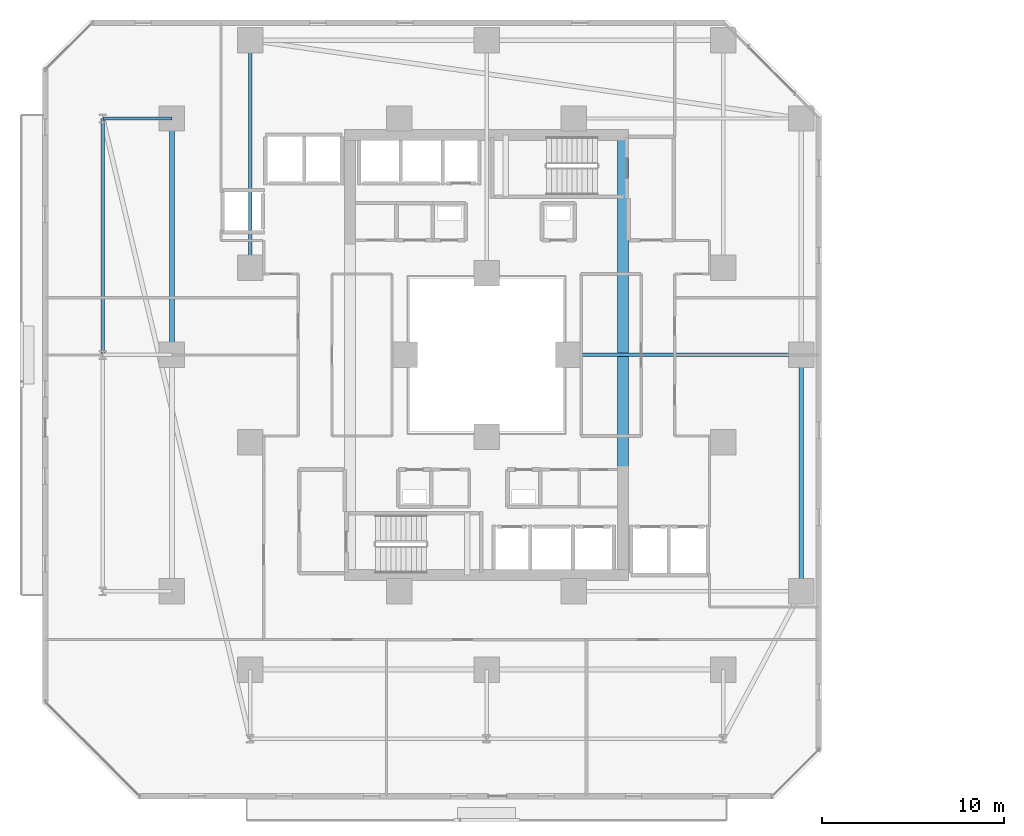
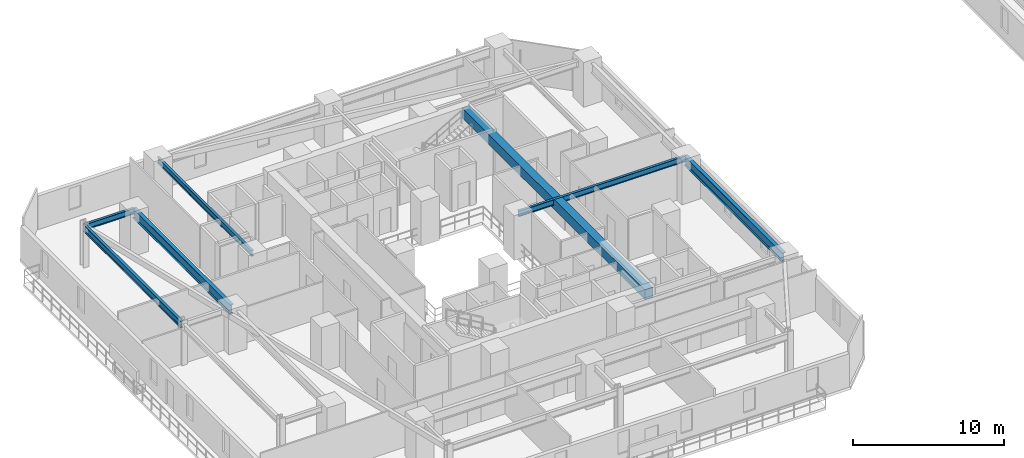
# One storey, part 6 of 33: 7 beams.
"""IFC4 building model written with IfcOpenShell, lengths in metres."""

from ifc_helpers import new_model, si_unit, direction, frame, origin, origin_2d, place, context, subcontext, project, spatial, rectangle, i_section, extrude, material, material_profile, profile_set, type_object, element, save


model = new_model("IFC4")

# Units and contexts
model_context = context("Model", 3, precision=1e-05, world=origin(), true_north=direction((0.0, 1.0)))
body_context = subcontext(model_context, "Body", "Model", "MODEL_VIEW")
ifc_project = project(units=[si_unit("LENGTHUNIT", "METRE"), si_unit("AREAUNIT", "SQUARE_METRE"), si_unit("VOLUMEUNIT", "CUBIC_METRE"), si_unit("PLANEANGLEUNIT", "RADIAN"), si_unit("MASSUNIT", "GRAM", prefix="KILO")], contexts=[model_context])

# Site, building, storey
site_placement = place(None, origin())
site = spatial("IfcSite", under=ifc_project, at=site_placement, CompositionType="ELEMENT")
building_placement = place(site_placement, origin())
building = spatial("IfcBuilding", under=site, at=building_placement, Name="Thornwick Lancets Civic Towers", CompositionType="ELEMENT")
storey_placement = place(building_placement, frame((0.0, 0.0, 38.699951171875)))
storey = spatial("IfcBuildingStorey", under=building, at=storey_placement, Name="L09", CompositionType="ELEMENT", Elevation=38.699951171875)

# Beams
ifc_material_1 = material(Name="Concrete C60/75", Category="concrete")
ifc_material_profile_1 = material_profile(ifc_material_1, rectangle(XDim=0.60009765625, YDim=0.800048828125, at=origin_2d()), Name="RC 600x800")
ifc_profile_set_1 = profile_set([ifc_material_profile_1], Name="Concrete C60/75")
beam_type_1 = type_object("IfcBeamType", Name="BM_COUP_RC800", PredefinedType="BEAM", material=ifc_profile_set_1)
beam_1_placement = place(storey_placement, frame((33.0, 14.89990234375, 2.9599609375), z_axis=(0.0, 1.0, 0.0), x_axis=(-1.0, 0.0, 0.0)))
element("IfcBeam", 1, at=beam_1_placement, inside=storey, type_object=beam_type_1, Name="CB-L09-A1", PredefinedType="BEAM", context=body_context, shape_type="SweptSolid", body=[
    extrude(rectangle(XDim=0.60009765625, YDim=0.800048828125, at=origin_2d()), origin(), (0.0, 0.0, 1.0), 24.2001953125),
])
ifc_material_2 = material(Name="Steel S355JR", Category="steel")
ifc_material_profile_2 = material_profile(ifc_material_2, i_section(OverallWidth=0.2119140625, OverallDepth=0.54443359375, WebThickness=0.0126953125, FlangeThickness=0.021240234375, FilletRadius=0.0126953125, at=origin_2d()), Name="UKB 533x210x122")
ifc_profile_set_2 = profile_set([ifc_material_profile_2], Name="Steel S355JR")
beam_type_2 = type_object("IfcBeamType", Name="BM_EDGE_533_122", PredefinedType="SPANDREL", material=ifc_profile_set_2)
beam_2_placement = place(storey_placement, frame((4.39990234375, 27.080078125, 3.087890625), z_axis=(0.0, 1.0, 0.0), x_axis=(-1.0, 0.0, 0.0)))
element("IfcBeam", 2, at=beam_2_placement, inside=storey, type_object=beam_type_2, Name="BM-EDGE-L09-A-S3-2", PredefinedType="SPANDREL", context=body_context, shape_type="SweptSolid", body=[
    extrude(i_section(OverallWidth=0.2119140625, OverallDepth=0.54443359375, WebThickness=0.0126953125, FlangeThickness=0.021240234375, FilletRadius=0.0126953125, at=origin_2d()), origin(), (0.0, 0.0, 1.0), 12.919921875),
])
ifc_material_profile_3 = material_profile(ifc_material_2, i_section(OverallWidth=0.26806640625, OverallDepth=0.769775390625, WebThickness=0.015625, FlangeThickness=0.025390625, FilletRadius=0.0166015625, at=origin_2d()), Name="UKB 762x267x197")
ifc_profile_set_3 = profile_set([ifc_material_profile_3], Name="Steel S355JR")
beam_type_3 = type_object("IfcBeamType", Name="BM_GIRD_762_197", PredefinedType="BEAM", material=ifc_profile_set_3)
beam_3_placement = place(storey_placement, frame((42.800048828125, 14.0, 2.97509765625), z_axis=(0.0, 1.0, 0.0), x_axis=(-1.0, 0.0, 0.0)))
element("IfcBeam", 3, at=beam_3_placement, inside=storey, type_object=beam_type_3, Name="BM-SPINE-L09-A-3-4", PredefinedType="BEAM", context=body_context, shape_type="SweptSolid", body=[
    extrude(i_section(OverallWidth=0.26806640625, OverallDepth=0.769775390625, WebThickness=0.015625, FlangeThickness=0.025390625, FilletRadius=0.0166015625, at=origin_2d()), origin(), (0.0, 0.0, 1.0), 13.0),
])
beam_4_placement = place(storey_placement, frame((8.199951171875, 27.080078125, 2.97509765625), z_axis=(0.0, 1.0, 0.0), x_axis=(-1.0, 0.0, 0.0)))
element("IfcBeam", 4, at=beam_4_placement, inside=storey, type_object=beam_type_3, Name="BM-SPINE-L09-A-10-11", PredefinedType="BEAM", context=body_context, shape_type="SweptSolid", body=[
    extrude(i_section(OverallWidth=0.26806640625, OverallDepth=0.769775390625, WebThickness=0.015625, FlangeThickness=0.025390625, FilletRadius=0.0166015625, at=origin_2d()), origin(), (0.0, 0.0, 1.0), 12.919921875),
])
ifc_material_profile_4 = material_profile(ifc_material_2, i_section(OverallWidth=0.19189453125, OverallDepth=0.46337890625, WebThickness=0.010498046875, FlangeThickness=0.017578125, FilletRadius=0.01025390625, at=origin_2d()), Name="UKB 457x191x89")
ifc_profile_set_4 = profile_set([ifc_material_profile_4], Name="Steel S355JR")
beam_type_4 = type_object("IfcBeamType", Name="BM_JOIST_457_89", PredefinedType="JOIST", material=ifc_profile_set_4)
beam_5_placement = place(storey_placement, frame((30.0, 27.0, 3.12841796875), z_axis=(1.0, 0.0, 0.0), x_axis=(0.0, 1.0, 0.0)))
element("IfcBeam", 5, at=beam_5_placement, inside=storey, type_object=beam_type_4, Name="BM-RADIN-L09-A05", PredefinedType="JOIST", context=body_context, shape_type="SweptSolid", body=[
    extrude(i_section(OverallWidth=0.19189453125, OverallDepth=0.46337890625, WebThickness=0.010498046875, FlangeThickness=0.017578125, FilletRadius=0.01025390625, at=origin_2d()), origin(), (0.0, 0.0, 1.0), 12.800048828125),
])
beam_6_placement = place(storey_placement, frame((12.5, 31.800048828125, 3.12841796875), z_axis=(0.0, 1.0, 0.0), x_axis=(-1.0, 0.0, 0.0)))
element("IfcBeam", 6, at=beam_6_placement, inside=storey, type_object=beam_type_4, Name="BM-RADIN-L09-A07", PredefinedType="JOIST", context=body_context, shape_type="SweptSolid", body=[
    extrude(i_section(OverallWidth=0.19189453125, OverallDepth=0.46337890625, WebThickness=0.010498046875, FlangeThickness=0.017578125, FilletRadius=0.01025390625, at=origin_2d()), origin(), (0.0, 0.0, 1.0), 12.5),
])
beam_7_placement = place(storey_placement, frame((8.199951171875, 40.0, 3.12841796875), z_axis=(-1.0, 0.0, 0.0), x_axis=(0.0, -1.0, 0.0)))
element("IfcBeam", 7, at=beam_7_placement, inside=storey, type_object=beam_type_4, Name="BM-RAD-L09-A12", PredefinedType="JOIST", context=body_context, shape_type="SweptSolid", body=[
    extrude(i_section(OverallWidth=0.19189453125, OverallDepth=0.46337890625, WebThickness=0.010498046875, FlangeThickness=0.017578125, FilletRadius=0.01025390625, at=origin_2d()), origin(), (0.0, 0.0, 1.0), 3.800048828125),
])

save(model, "model.ifc")
